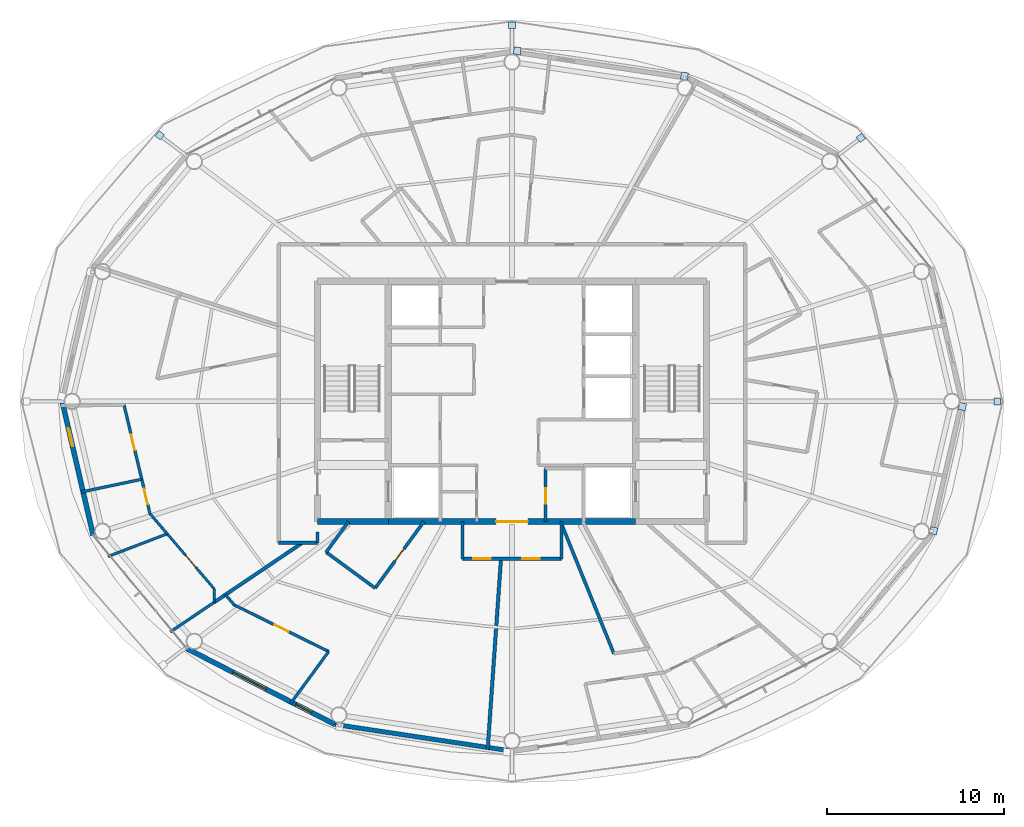
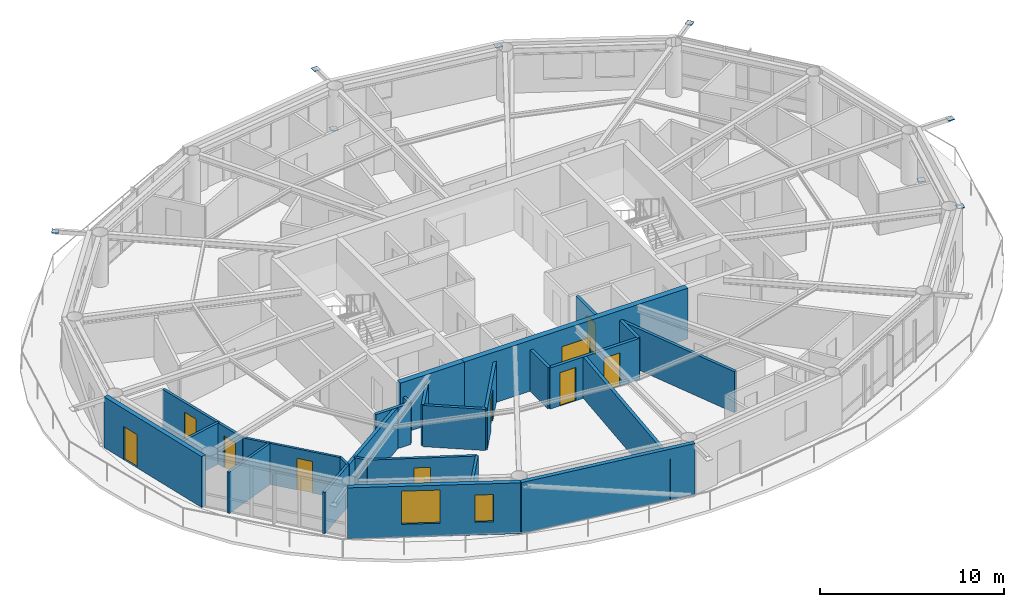
# One storey, part 15 of 22: 27 walls, 10 doors, 8 plates, 2 windows, 12 openings.
"""IFC4 building model written with IfcOpenShell, lengths in metres."""

from ifc_helpers import new_model, si_unit, direction, frame, frame_2d, origin, origin_2d, place, context, subcontext, project, spatial, rectangle, extrude, material, layer, layer_set, type_object, element, fill, save


model = new_model("IFC4")

# Units and contexts
model_context = context("Model", 3, precision=1e-05, world=origin(), true_north=direction((0.0, 1.0)))
body_context = subcontext(model_context, "Body", "Model", "MODEL_VIEW")
ifc_project = project(units=[si_unit("LENGTHUNIT", "METRE"), si_unit("AREAUNIT", "SQUARE_METRE"), si_unit("VOLUMEUNIT", "CUBIC_METRE"), si_unit("PLANEANGLEUNIT", "RADIAN"), si_unit("MASSUNIT", "GRAM", prefix="KILO")], contexts=[model_context])

# Site, building, storey
site_placement = place(None, origin())
site = spatial("IfcSite", under=ifc_project, at=site_placement, CompositionType="ELEMENT")
building_placement = place(site_placement, origin())
building = spatial("IfcBuilding", under=site, at=building_placement, Name="Sarneth Arch Tower", CompositionType="ELEMENT")
storey_placement = place(building_placement, frame((0.0, 0.0, 298.199951171875)))
storey = spatial("IfcBuildingStorey", under=building, at=storey_placement, Name="L77", CompositionType="ELEMENT", Elevation=298.199951171875)

# Plates
ifc_material_1 = material(Name="Steel S355", Category="steel")
ifc_layer_1 = layer(ifc_material_1, 0.035888671875)
ifc_layer_set_1 = layer_set([ifc_layer_1], Name="Steel S355")
plate_type = type_object("IfcPlateType", Name="PLT-GUSSET-30", PredefinedType="SHEET", material=ifc_layer_set_1)
for number, where, z_axis, x_axis, name in (
    (1, (75.455322265625, 42.0, 3.19189453125), (0.0, 0.0, 1.0), (1.0, 0.0, 0.0), "Steel end cap plate GP-1"),
    (2, (67.734375, 56.905029296875, 3.19189453125), (0.0, 0.0, 1.0), (0.798004853043, 0.602651022168, 0.0), "Steel end cap plate GP-1"),
):
    element("IfcPlate", number, at=place(storey_placement, frame(where, z_axis=z_axis, x_axis=x_axis)), inside=storey, type_object=plate_type, Name=name, PredefinedType="SHEET", context=body_context, shape_type="SweptSolid", body=[
        extrude(rectangle(XDim=0.3798828125, YDim=0.3798828125, at=origin_2d()), origin(), (0.0, 0.0, 1.0), 0.035888671875),
    ])
for number, where, z_axis, x_axis, name in (
    (3, (48.296630859375, 61.83544921875, 0.001953125), (0.0, 0.0, 1.0), (-0.988860535448, 0.148845024885, 0.0), "Steel end cap plate GP-1"),
    (4, (57.754150390625, 60.411376953125, 3.07421875), (0.0, 0.0, 1.0), (-0.988860535448, 0.148845024885, 0.0), "Steel end cap plate GP-1"),
):
    element("IfcPlate", number, at=place(storey_placement, frame(where, z_axis=z_axis, x_axis=x_axis)), inside=storey, type_object=plate_type, Name=name, PredefinedType="SHEET", context=body_context, shape_type="SweptSolid", body=[
        extrude(rectangle(XDim=0.404052734375, YDim=0.404052734375, at=origin_2d()), origin(), (0.0, 0.0, 1.0), 0.035888671875),
    ])
for number, where, z_axis, x_axis, name in (
    (5, (48.0, 63.27783203125, 3.19189453125), (0.0, 0.0, 1.0), (0.0, 1.0, 0.0), "Steel end cap plate GP-1"),
    (6, (28.0732421875, 57.05029296875, 3.19189453125), (0.0, 0.0, 1.0), (-0.798004853043, 0.602651022168, 0.0), "Steel end cap plate GP-1"),
):
    element("IfcPlate", number, at=place(storey_placement, frame(where, z_axis=z_axis, x_axis=x_axis)), inside=storey, type_object=plate_type, Name=name, PredefinedType="SHEET", context=body_context, shape_type="SweptSolid", body=[
        extrude(rectangle(XDim=0.3798828125, YDim=0.3798828125, at=origin_2d()), origin(), (0.0, 0.0, 1.0), 0.035888671875),
    ])
for number, where, z_axis, x_axis, name in (
    (7, (73.4765625, 41.707763671875, 0.001953125), (0.0, 0.0, 1.0), (0.225461202458, 0.974252147129, 0.0), "Steel end cap plate GP-1"),
    (8, (71.851806640625, 34.6845703125, 3.07421875), (0.0, 0.0, 1.0), (0.225461202458, 0.974252147129, 0.0), "Steel end cap plate GP-1"),
):
    element("IfcPlate", number, at=place(storey_placement, frame(where, z_axis=z_axis, x_axis=x_axis)), inside=storey, type_object=plate_type, Name=name, PredefinedType="SHEET", context=body_context, shape_type="SweptSolid", body=[
        extrude(rectangle(XDim=0.404052734375, YDim=0.404052734375, at=origin_2d()), origin(), (0.0, 0.0, 1.0), 0.035888671875),
    ])

# Wall
ifc_material_2 = material(Name="Concrete C50/60", Category="concrete")
ifc_layer_2 = layer(ifc_material_2, 0.35009765625)
ifc_layer_set_2 = layer_set([ifc_layer_2], Name="Concrete C50/60")
wall_type_1 = type_object("IfcWallType", Name="WALL-CORE-350", PredefinedType="SHEAR", material=ifc_layer_set_2)
wall_1_placement = place(storey_placement, frame((37.0, 35.199951171875, 0.0), z_axis=(0.0, 0.0, 1.0), x_axis=(1.0, 0.0, 0.0)))
element("IfcWall", 9, at=wall_1_placement, inside=storey, type_object=wall_type_1, Name="L77 Core shear wall S-W", PredefinedType="SHEAR", context=body_context, shape_type="SweptSolid", body=[
    extrude(rectangle(XDim=4.0, YDim=0.35009765625, at=frame_2d((2.0, 0.0))), origin(), (0.0, 0.0, 1.0), 3.3701171875),
])

# Wall, opening, door
wall_2_placement = place(storey_placement, frame((41.0, 35.199951171875, 0.0), z_axis=(0.0, 0.0, 1.0), x_axis=(1.0, 0.0, 0.0)))
wall_2 = element("IfcWall", 10, at=wall_2_placement, inside=storey, type_object=wall_type_1, Name="L77 Core shear wall S-M", PredefinedType="SHEAR", context=body_context, shape_type="SweptSolid", body=[
    extrude(rectangle(XDim=14.0, YDim=0.35009765625, at=frame_2d((7.0, 0.0))), origin(), (0.0, 0.0, 1.0), 3.3701171875),
])
opening_1_placement = place(wall_2_placement, frame((6.10009765625, 0.0, 0.0)))
opening_1 = element("IfcOpeningElement", 11, at=opening_1_placement, cuts=wall_2, Name="Opening FD-01", PredefinedType="OPENING", context=body_context, shape_type="SweptSolid", body=[
    extrude(rectangle(XDim=1.800048828125, YDim=2.25, at=frame_2d((0.89990234375, 1.125))), frame((0.0, 0.18505859375, 0.0), z_axis=(0.0, -1.0, 0.0), x_axis=(1.0, 0.0, 0.0)), (0.0, 0.0, 1.0), 0.3701171875),
])
ifc_material_3 = material(Name="Galvanised Steel S275 fire door set", Category="steel")
door_type_1 = type_object("IfcDoorType", Name="DR-FD90-1800", OperationType="DOUBLE_DOOR_SINGLE_SWING", PredefinedType="DOOR", material=ifc_material_3)
door_1_placement = place(opening_1_placement, origin())
door_1 = element("IfcDoor", 12, at=door_1_placement, inside=storey, type_object=door_type_1, Name="L77 Central lift lobby south door", OperationType="DOUBLE_DOOR_SINGLE_SWING", OverallHeight=2.25, OverallWidth=1.800048828125, PredefinedType="DOOR", context=body_context, shape_type="SweptSolid", body=[
    extrude(rectangle(XDim=1.800048828125, YDim=2.25, at=frame_2d((0.89990234375, 1.125))), frame((0.0, 0.02490234375, 0.0), z_axis=(0.0, -1.0, 0.0), x_axis=(1.0, 0.0, 0.0)), (0.0, 0.0, 1.0), 0.050048828125),
])
fill(opening_1, door_1)

# Wall, openings, doors
ifc_material_4 = material(Name="Double steel-stud corridor fire wall", Category="steel")
ifc_layer_3 = layer(ifc_material_4, 0.18994140625)
ifc_layer_set_3 = layer_set([ifc_layer_3], Name="Double steel-stud corridor fire wall")
wall_type_2 = type_object("IfcWallType", Name="WALL-CORR-190", PredefinedType="PARTITIONING", material=ifc_layer_set_3)
wall_3_placement = place(storey_placement, frame((50.800048828125, 33.10009765625, 0.0), z_axis=(0.0, 0.0, 1.0), x_axis=(-1.0, 0.0, 0.0)))
wall_3 = element("IfcWall", 13, at=wall_3_placement, inside=storey, type_object=wall_type_2, Name="L77 Interior partition W-L77-TP-025", PredefinedType="PARTITIONING", context=body_context, shape_type="SweptSolid", body=[
    extrude(rectangle(XDim=5.60009765625, YDim=0.18994140625, at=frame_2d((2.800048828125, 0.0))), origin(), (0.0, 0.0, 1.0), 2.72998046875),
])
opening_2_placement = place(wall_3_placement, frame((1.227294921875, 0.0, 0.0)))
opening_2 = element("IfcOpeningElement", 14, at=opening_2_placement, cuts=wall_3, Name="Opening FD-08", PredefinedType="OPENING", context=body_context, shape_type="SweptSolid", body=[
    extrude(rectangle(XDim=1.0, YDim=2.199951171875, at=frame_2d((0.5, 1.10009765625))), frame((0.0, 0.10498046875, 0.0), z_axis=(0.0, -1.0, 0.0), x_axis=(1.0, 0.0, 0.0)), (0.0, 0.0, 1.0), 0.2099609375),
])
opening_3_placement = place(wall_3_placement, frame((3.9951171875, 0.0, 0.0)))
opening_3 = element("IfcOpeningElement", 15, at=opening_3_placement, cuts=wall_3, Name="Opening FD-08", PredefinedType="OPENING", context=body_context, shape_type="SweptSolid", body=[
    extrude(rectangle(XDim=1.0, YDim=2.199951171875, at=frame_2d((0.5, 1.10009765625))), frame((0.0, 0.10498046875, 0.0), z_axis=(0.0, -1.0, 0.0), x_axis=(1.0, 0.0, 0.0)), (0.0, 0.0, 1.0), 0.2099609375),
])
ifc_material_5 = material(Name="Hardwood timber acoustic fire door", Category="wood")
door_type_2 = type_object("IfcDoorType", Name="DR-FD60-1000", OperationType="SINGLE_SWING_LEFT", PredefinedType="DOOR", material=ifc_material_5)
door_2_placement = place(opening_2_placement, origin())
door_2 = element("IfcDoor", 16, at=door_2_placement, inside=storey, type_object=door_type_2, Name="L77 Interior door DR-L77-U6-ENT", OperationType="SINGLE_SWING_RIGHT", OverallHeight=2.199951171875, OverallWidth=1.0, PredefinedType="DOOR", context=body_context, shape_type="SweptSolid", body=[
    extrude(rectangle(XDim=1.0, YDim=2.199951171875, at=frame_2d((0.5, 1.10009765625))), frame((0.0, 0.02490234375, 0.0), z_axis=(0.0, -1.0, 0.0), x_axis=(1.0, 0.0, 0.0)), (0.0, 0.0, 1.0), 0.050048828125),
])
fill(opening_2, door_2)
door_3_placement = place(opening_3_placement, origin())
door_3 = element("IfcDoor", 17, at=door_3_placement, inside=storey, type_object=door_type_2, Name="L77 Interior door DR-L77-U5-ENT", OperationType="SINGLE_SWING_RIGHT", OverallHeight=2.199951171875, OverallWidth=1.0, PredefinedType="DOOR", context=body_context, shape_type="SweptSolid", body=[
    extrude(rectangle(XDim=1.0, YDim=2.199951171875, at=frame_2d((0.5, 1.10009765625))), frame((0.0, 0.02490234375, 0.0), z_axis=(0.0, -1.0, 0.0), x_axis=(1.0, 0.0, 0.0)), (0.0, 0.0, 1.0), 0.050048828125),
])
fill(opening_3, door_3)

# Walls
for number, where, z_axis, x_axis, name in (
    (18, (45.199951171875, 33.10009765625, 0.0), (0.0, 0.0, 1.0), (0.0, 1.0, 0.0), "L77 Interior partition W-L77-TP-023"),
    (19, (50.800048828125, 35.199951171875, 0.0), (0.0, 0.0, 1.0), (0.0, -1.0, 0.0), "L77 Interior partition W-L77-TP-024"),
):
    element("IfcWall", number, at=place(storey_placement, frame(where, z_axis=z_axis, x_axis=x_axis)), inside=storey, type_object=wall_type_2, Name=name, PredefinedType="PARTITIONING", context=body_context, shape_type="SweptSolid", body=[
        extrude(rectangle(XDim=2.099853515625, YDim=0.18994140625, at=frame_2d((1.0498046875, 0.0))), origin(), (0.0, 0.0, 1.0), 2.72998046875),
    ])
wall_4_placement = place(storey_placement, frame((37.0, 34.0, 0.0), z_axis=(0.0, 0.0, 1.0), x_axis=(-1.0, 0.0, 0.0)))
element("IfcWall", 20, at=wall_4_placement, inside=storey, type_object=wall_type_2, Name="L77 Interior partition W-L77-TP-012", PredefinedType="PARTITIONING", context=body_context, shape_type="SweptSolid", body=[
    extrude(rectangle(XDim=2.199951171875, YDim=0.18994140625, at=frame_2d((1.10009765625, 0.0))), origin(), (0.0, 0.0, 1.0), 2.72998046875),
])
wall_5_placement = place(storey_placement, frame((37.0, 34.618896484375, 0.0), z_axis=(0.0, 0.0, 1.0), x_axis=(0.0, -1.0, 0.0)))
element("IfcWall", 21, at=wall_5_placement, inside=storey, type_object=wall_type_2, Name="L77 Interior partition W-L77-TP-015", PredefinedType="PARTITIONING", context=body_context, shape_type="SweptSolid", body=[
    extrude(rectangle(XDim=0.618896484375, YDim=0.18994140625, at=frame_2d((0.3095703125, 0.0))), origin(), (0.0, 0.0, 1.0), 2.72998046875),
])
ifc_material_6 = material(Name="Extruded terracotta rainscreen on Concrete C40/50 backing", Category="masonry")
ifc_layer_4 = layer(ifc_material_6, 0.25)
ifc_layer_set_4 = layer_set([ifc_layer_4], Name="Extruded terracotta rainscreen on Concrete C40/50 backing")
wall_type_3 = type_object("IfcWallType", Name="WALL-EXT-SPAND-250", PredefinedType="SOLIDWALL", material=ifc_layer_set_4)
wall_6_placement = place(storey_placement, frame((37.9873046875, 23.7255859375, 0.0), z_axis=(0.0, 0.0, 1.0), x_axis=(0.988882522213, -0.148698881169, 0.0)))
element("IfcWall", 22, at=wall_6_placement, inside=storey, type_object=wall_type_3, Name="L77 Terracotta perimeter wall 12", PredefinedType="SOLIDWALL", context=body_context, shape_type="SweptSolid", body=[
    extrude(rectangle(XDim=10.125244140625, YDim=0.25, at=frame_2d((5.0625, 0.0))), origin(), (0.0, 0.0, 1.0), 3.3701171875),
])

# Wall, opening, door
ifc_material_7 = material(Name="Extruded terracotta rainscreen on Concrete C40/50 backing", Category="masonry")
ifc_layer_5 = layer(ifc_material_7, 0.280029296875)
ifc_layer_set_5 = layer_set([ifc_layer_5], Name="Extruded terracotta rainscreen on Concrete C40/50 backing")
wall_type_4 = type_object("IfcWallType", Name="WALL-EXT-TERRA-280", PredefinedType="SOLIDWALL", material=ifc_layer_set_5)
wall_7_placement = place(storey_placement, frame((22.552978515625, 42.0, 0.0), z_axis=(0.0, 0.0, 1.0), x_axis=(0.225635078214, -0.974211892495, 0.0)))
wall_7 = element("IfcWall", 23, at=wall_7_placement, inside=storey, type_object=wall_type_4, Name="L77 Terracotta perimeter wall 09", PredefinedType="SOLIDWALL", context=body_context, shape_type="SweptSolid", body=[
    extrude(rectangle(XDim=7.77001953125, YDim=0.280029296875, at=frame_2d((3.885009765625, 0.0))), origin(), (0.0, 0.0, 1.0), 3.3701171875),
])
opening_4_placement = place(wall_7_placement, frame((1.55712890625, 0.0, 0.0)))
opening_4 = element("IfcOpeningElement", 24, at=opening_4_placement, cuts=wall_7, Name="Opening BD-4", PredefinedType="OPENING", context=body_context, shape_type="SweptSolid", body=[
    extrude(rectangle(XDim=1.050048828125, YDim=2.199951171875, at=frame_2d((0.52490234375, 1.10009765625))), frame((0.0, 0.14990234375, 0.0), z_axis=(0.0, -1.0, 0.0), x_axis=(1.0, 0.0, 0.0)), (0.0, 0.0, 1.0), 0.300048828125),
])
ifc_material_8 = material(Name="Thermally broken Aluminium 6063-T6 and laminated safety glass", Category="aluminium")
door_type_3 = type_object("IfcDoorType", Name="DR-BALC-GLZ-1050", OperationType="SINGLE_SWING_RIGHT", PredefinedType="DOOR", material=ifc_material_8)
door_4_placement = place(opening_4_placement, origin())
door_4 = element("IfcDoor", 25, at=door_4_placement, inside=storey, type_object=door_type_3, Name="L77 Balcony glazed door 09", OperationType="SINGLE_SWING_RIGHT", OverallHeight=2.199951171875, OverallWidth=1.050048828125, PredefinedType="DOOR", context=body_context, shape_type="SweptSolid", body=[
    extrude(rectangle(XDim=1.050048828125, YDim=2.199951171875, at=frame_2d((0.52490234375, 1.10009765625))), frame((0.0, 0.02490234375, 0.0), z_axis=(0.0, -1.0, 0.0), x_axis=(1.0, 0.0, 0.0)), (0.0, 0.0, 1.0), 0.050048828125),
])
fill(opening_4, door_4)

# Wall, openings, windows
wall_8_placement = place(storey_placement, frame((29.617431640625, 28.013427734375, 0.0), z_axis=(0.0, 0.0, 1.0), x_axis=(0.890007394051, -0.455946091699, 0.0)))
wall_8 = element("IfcWall", 26, at=wall_8_placement, inside=storey, type_object=wall_type_4, Name="L77 Terracotta perimeter wall 11", PredefinedType="SOLIDWALL", context=body_context, shape_type="SweptSolid", body=[
    extrude(rectangle(XDim=9.404296875, YDim=0.280029296875, at=frame_2d((4.7021484375, 0.0))), origin(), (0.0, 0.0, 1.0), 3.3701171875),
])
opening_5_placement = place(wall_8_placement, frame((2.92431640625, 0.0, 0.85009765625)))
opening_5 = element("IfcOpeningElement", 27, at=opening_5_placement, cuts=wall_8, Name="Opening W-03", PredefinedType="OPENING", context=body_context, shape_type="SweptSolid", body=[
    extrude(rectangle(XDim=2.10009765625, YDim=2.199951171875, at=frame_2d((1.050048828125, 1.10009765625))), frame((0.0, 0.14990234375, 0.0), z_axis=(0.0, -1.0, 0.0), x_axis=(1.0, 0.0, 0.0)), (0.0, 0.0, 1.0), 0.300048828125),
])
opening_6_placement = place(wall_8_placement, frame((6.9150390625, 0.0, 0.85009765625)))
opening_6 = element("IfcOpeningElement", 28, at=opening_6_placement, cuts=wall_8, Name="Opening W-11", PredefinedType="OPENING", context=body_context, shape_type="SweptSolid", body=[
    extrude(rectangle(XDim=1.0, YDim=1.800048828125, at=frame_2d((0.5, 0.89990234375))), frame((0.0, 0.14990234375, 0.0), z_axis=(0.0, -1.0, 0.0), x_axis=(1.0, 0.0, 0.0)), (0.0, 0.0, 1.0), 0.300048828125),
])
ifc_material_9 = material(Name="Thermally broken Aluminium 6063-T6 and low-e laminated IGU", Category="aluminium")
window_type_1 = type_object("IfcWindowType", Name="WIN-TWR-1000x1800", PartitioningType="SINGLE_PANEL", PredefinedType="WINDOW", material=ifc_material_9)
window_1_placement = place(opening_6_placement, origin())
window_1 = element("IfcWindow", 29, at=window_1_placement, inside=storey, type_object=window_type_1, Name="L77 Exterior window 11B", OverallHeight=1.800048828125, OverallWidth=1.0, PartitioningType="SINGLE_PANEL", PredefinedType="WINDOW", context=body_context, shape_type="SweptSolid", body=[
    extrude(rectangle(XDim=1.0, YDim=1.800048828125, at=frame_2d((0.5, 0.89990234375))), frame((0.0, 0.030029296875, 0.0), z_axis=(0.0, -1.0, 0.0), x_axis=(1.0, 0.0, 0.0)), (0.0, 0.0, 1.0), 0.06005859375),
])
fill(opening_6, window_1)
ifc_material_10 = material(Name="Thermally broken Aluminium 6063-T6 and low-e laminated IGU", Category="aluminium")
window_type_2 = type_object("IfcWindowType", Name="WIN-TWR-2100x2200", PartitioningType="DOUBLE_PANEL_VERTICAL", PredefinedType="WINDOW", material=ifc_material_10)
window_2_placement = place(opening_5_placement, origin())
window_2 = element("IfcWindow", 30, at=window_2_placement, inside=storey, type_object=window_type_2, Name="L77 Exterior window 11A", OverallHeight=2.199951171875, OverallWidth=2.10009765625, PartitioningType="SINGLE_PANEL", PredefinedType="WINDOW", context=body_context, shape_type="SweptSolid", body=[
    extrude(rectangle(XDim=2.10009765625, YDim=2.199951171875, at=frame_2d((1.050048828125, 1.10009765625))), frame((0.0, 0.030029296875, 0.0), z_axis=(0.0, -1.0, 0.0), x_axis=(1.0, 0.0, 0.0)), (0.0, 0.0, 1.0), 0.06005859375),
])
fill(opening_5, window_2)

# Wall, opening, door
ifc_material_11 = material(Name="Apartment internal stud partition", Category="gypsum")
ifc_layer_6 = layer(ifc_material_11, 0.139892578125)
ifc_layer_set_6 = layer_set([ifc_layer_6], Name="Apartment internal stud partition")
wall_type_5 = type_object("IfcWallType", Name="WALL-PART-140", PredefinedType="PARTITIONING", material=ifc_layer_set_6)
wall_9_placement = place(storey_placement, frame((28.494384765625, 34.512451171875, 0.0), z_axis=(0.0, 0.0, 1.0), x_axis=(0.649192484668, -0.760624163336, 0.0)))
wall_9 = element("IfcWall", 31, at=wall_9_placement, inside=storey, type_object=wall_type_5, Name="L77 Interior partition W-L77-TP-063", PredefinedType="PARTITIONING", context=body_context, shape_type="SweptSolid", body=[
    extrude(rectangle(XDim=4.090576171875, YDim=0.139892578125, at=frame_2d((2.04541015625, 0.0))), origin(), (0.0, 0.0, 1.0), 2.72998046875),
])
opening_7_placement = place(wall_9_placement, frame((1.59521484375, 0.0, 0.0)))
opening_7 = element("IfcOpeningElement", 32, at=opening_7_placement, cuts=wall_9, Name="Opening ID-01", PredefinedType="OPENING", context=body_context, shape_type="SweptSolid", body=[
    extrude(rectangle(XDim=0.89990234375, YDim=2.10009765625, at=frame_2d((0.449951171875, 1.050048828125))), frame((0.0, 0.079833984375, 0.0), z_axis=(0.0, -1.0, 0.0), x_axis=(1.0, 0.0, 0.0)), (0.0, 0.0, 1.0), 0.159912109375),
])
ifc_material_12 = material(Name="Engineered hardwood flush door", Category="wood")
door_type_4 = type_object("IfcDoorType", Name="DR-INT-900", OperationType="SINGLE_SWING_LEFT", PredefinedType="DOOR", material=ifc_material_12)
door_5_placement = place(opening_7_placement, origin())
door_5 = element("IfcDoor", 33, at=door_5_placement, inside=storey, type_object=door_type_4, Name="L77 Interior door DR-L77-U4-BED2", OperationType="SINGLE_SWING_LEFT", OverallHeight=2.10009765625, OverallWidth=0.89990234375, PredefinedType="DOOR", context=body_context, shape_type="SweptSolid", body=[
    extrude(rectangle(XDim=0.89990234375, YDim=2.10009765625, at=frame_2d((0.449951171875, 1.050048828125))), frame((0.0, 0.02490234375, 0.0), z_axis=(0.0, -1.0, 0.0), x_axis=(1.0, 0.0, 0.0)), (0.0, 0.0, 1.0), 0.050048828125),
])
fill(opening_7, door_5)

# Walls
wall_10_placement = place(storey_placement, frame((31.14990234375, 31.401123046875, 0.0), z_axis=(0.0, 0.0, 1.0), x_axis=(0.0, -1.0, 0.0)))
element("IfcWall", 34, at=wall_10_placement, inside=storey, type_object=wall_type_5, Name="L77 Interior partition W-L77-TP-064", PredefinedType="PARTITIONING", context=body_context, shape_type="SweptSolid", body=[
    extrude(rectangle(XDim=0.7666015625, YDim=0.139892578125, at=frame_2d((0.38330078125, 0.0))), origin(), (0.0, 0.0, 1.0), 2.72998046875),
])
ifc_material_13 = material(Name="Acoustic gypsum stud partition", Category="gypsum")
ifc_layer_7 = layer(ifc_material_13, 0.14990234375)
ifc_layer_set_7 = layer_set([ifc_layer_7], Name="Acoustic gypsum stud partition")
wall_type_6 = type_object("IfcWallType", Name="WALL-PART-150", PredefinedType="PARTITIONING", material=ifc_layer_set_7)
wall_11_placement = place(storey_placement, frame((28.494384765625, 34.512451171875, 0.0), z_axis=(0.0, 0.0, 1.0), x_axis=(-0.933587977353, -0.358348278274, 0.0)))
element("IfcWall", 35, at=wall_11_placement, inside=storey, type_object=wall_type_6, Name="L77 Interior partition W-L77-TP-068", PredefinedType="PARTITIONING", context=body_context, shape_type="SweptSolid", body=[
    extrude(rectangle(XDim=3.57958984375, YDim=0.14990234375, at=frame_2d((1.789794921875, 0.0))), origin(), (0.0, 0.0, 1.0), 2.72998046875),
])
wall_12_placement = place(storey_placement, frame((27.51904296875, 35.655029296875, 0.0), z_axis=(0.0, 0.0, 1.0), x_axis=(0.649250915383, -0.760574288859, 0.0)))
element("IfcWall", 36, at=wall_12_placement, inside=storey, type_object=wall_type_6, Name="L77 Interior partition W-L77-TP-062", PredefinedType="PARTITIONING", context=body_context, shape_type="SweptSolid", body=[
    extrude(rectangle(XDim=1.502197265625, YDim=0.14990234375, at=frame_2d((0.7509765625, 0.0))), origin(), (0.0, 0.0, 1.0), 2.72998046875),
])

# Wall, opening, door
ifc_material_14 = material(Name="Kitchen wet service chase wall", Category="gypsum")
ifc_layer_8 = layer(ifc_material_14, 0.159912109375)
ifc_layer_set_8 = layer_set([ifc_layer_8], Name="Kitchen wet service chase wall")
wall_type_7 = type_object("IfcWallType", Name="WALL-PLUMB-160", PredefinedType="PLUMBINGWALL", material=ifc_layer_set_8)
wall_13_placement = place(storey_placement, frame((37.630126953125, 27.852294921875, 0.0), z_axis=(0.0, 0.0, 1.0), x_axis=(-0.896847493932, 0.442339883605, 0.0)))
wall_13 = element("IfcWall", 37, at=wall_13_placement, inside=storey, type_object=wall_type_7, Name="L77 Interior partition W-L77-TP-074", PredefinedType="PLUMBINGWALL", context=body_context, shape_type="SweptSolid", body=[
    extrude(rectangle(XDim=5.959228515625, YDim=0.159912109375, at=frame_2d((2.9794921875, 0.0))), origin(), (0.0, 0.0, 1.0), 2.72998046875),
])
opening_8_placement = place(wall_13_placement, frame((2.529541015625, 0.0, 0.0)))
opening_8 = element("IfcOpeningElement", 38, at=opening_8_placement, cuts=wall_13, Name="Opening ID-01", PredefinedType="OPENING", context=body_context, shape_type="SweptSolid", body=[
    extrude(rectangle(XDim=0.89990234375, YDim=2.10009765625, at=frame_2d((0.449951171875, 1.050048828125))), frame((0.0, 0.08984375, 0.0), z_axis=(0.0, -1.0, 0.0), x_axis=(1.0, 0.0, 0.0)), (0.0, 0.0, 1.0), 0.179931640625),
])
door_6_placement = place(opening_8_placement, origin())
door_6 = element("IfcDoor", 39, at=door_6_placement, inside=storey, type_object=door_type_4, Name="L77 Interior door DR-L77-U5-KIT", OperationType="SINGLE_SWING_LEFT", OverallHeight=2.10009765625, OverallWidth=0.89990234375, PredefinedType="DOOR", context=body_context, shape_type="SweptSolid", body=[
    extrude(rectangle(XDim=0.89990234375, YDim=2.10009765625, at=frame_2d((0.449951171875, 1.050048828125))), frame((0.0, 0.02490234375, 0.0), z_axis=(0.0, -1.0, 0.0), x_axis=(1.0, 0.0, 0.0)), (0.0, 0.0, 1.0), 0.050048828125),
])
fill(opening_8, door_6)

# Wall, openings, doors
wall_14_placement = place(storey_placement, frame((27.51904296875, 35.655029296875, 0.0), z_axis=(0.0, 0.0, 1.0), x_axis=(-0.232313993087, 0.97264084256, 0.0)))
wall_14 = element("IfcWall", 40, at=wall_14_placement, inside=storey, type_object=wall_type_7, Name="L77 Interior partition W-L77-TP-056", PredefinedType="PLUMBINGWALL", context=body_context, shape_type="SweptSolid", body=[
    extrude(rectangle(XDim=6.31396484375, YDim=0.159912109375, at=frame_2d((3.156982421875, 0.0))), origin(), (0.0, 0.0, 1.0), 2.72998046875),
])
opening_9_placement = place(wall_14_placement, frame((3.689208984375, 0.0, 0.0)))
opening_9 = element("IfcOpeningElement", 41, at=opening_9_placement, cuts=wall_14, Name="Opening ID-01", PredefinedType="OPENING", context=body_context, shape_type="SweptSolid", body=[
    extrude(rectangle(XDim=0.89990234375, YDim=2.10009765625, at=frame_2d((0.449951171875, 1.050048828125))), frame((0.0, 0.08984375, 0.0), z_axis=(0.0, -1.0, 0.0), x_axis=(1.0, 0.0, 0.0)), (0.0, 0.0, 1.0), 0.179931640625),
])
opening_10_placement = place(wall_14_placement, frame((0.548095703125, 0.0, 0.0)))
opening_10 = element("IfcOpeningElement", 42, at=opening_10_placement, cuts=wall_14, Name="Opening ID-01", PredefinedType="OPENING", context=body_context, shape_type="SweptSolid", body=[
    extrude(rectangle(XDim=0.89990234375, YDim=2.10009765625, at=frame_2d((0.449951171875, 1.050048828125))), frame((0.0, 0.08984375, 0.0), z_axis=(0.0, -1.0, 0.0), x_axis=(1.0, 0.0, 0.0)), (0.0, 0.0, 1.0), 0.179931640625),
])
door_7_placement = place(opening_9_placement, origin())
door_7 = element("IfcDoor", 43, at=door_7_placement, inside=storey, type_object=door_type_4, Name="L77 Interior door DR-L77-U4-KIT", OperationType="SINGLE_SWING_RIGHT", OverallHeight=2.10009765625, OverallWidth=0.89990234375, PredefinedType="DOOR", context=body_context, shape_type="SweptSolid", body=[
    extrude(rectangle(XDim=0.89990234375, YDim=2.10009765625, at=frame_2d((0.449951171875, 1.050048828125))), frame((0.0, 0.02490234375, 0.0), z_axis=(0.0, -1.0, 0.0), x_axis=(1.0, 0.0, 0.0)), (0.0, 0.0, 1.0), 0.050048828125),
])
fill(opening_9, door_7)
door_8_placement = place(opening_10_placement, origin())
door_8 = element("IfcDoor", 44, at=door_8_placement, inside=storey, type_object=door_type_4, Name="L77 Interior door DR-L77-U4-BED1", OperationType="SINGLE_SWING_LEFT", OverallHeight=2.10009765625, OverallWidth=0.89990234375, PredefinedType="DOOR", context=body_context, shape_type="SweptSolid", body=[
    extrude(rectangle(XDim=0.89990234375, YDim=2.10009765625, at=frame_2d((0.449951171875, 1.050048828125))), frame((0.0, 0.02490234375, 0.0), z_axis=(0.0, -1.0, 0.0), x_axis=(1.0, 0.0, 0.0)), (0.0, 0.0, 1.0), 0.050048828125),
])
fill(opening_10, door_8)

# Walls
wall_15_placement = place(storey_placement, frame((35.4580078125, 24.888427734375, 0.0), z_axis=(0.0, 0.0, 1.0), x_axis=(0.591118806012, 0.806584500954, 0.0)))
element("IfcWall", 45, at=wall_15_placement, inside=storey, type_object=wall_type_7, Name="L77 Interior partition W-L77-TP-073", PredefinedType="PLUMBINGWALL", context=body_context, shape_type="SweptSolid", body=[
    extrude(rectangle(XDim=3.674560546875, YDim=0.159912109375, at=frame_2d((1.83740234375, 0.0))), origin(), (0.0, 0.0, 1.0), 2.72998046875),
])
wall_16_placement = place(storey_placement, frame((27.055419921875, 37.5966796875, 0.0), z_axis=(0.0, 0.0, 1.0), x_axis=(-0.978617562331, -0.205688275545, 0.0)))
element("IfcWall", 46, at=wall_16_placement, inside=storey, type_object=wall_type_7, Name="L77 Interior partition W-L77-TP-067", PredefinedType="PLUMBINGWALL", context=body_context, shape_type="SweptSolid", body=[
    extrude(rectangle(XDim=3.513427734375, YDim=0.159912109375, at=frame_2d((1.7568359375, 0.0))), origin(), (0.0, 0.0, 1.0), 2.72998046875),
])
wall_17_placement = place(storey_placement, frame((31.14990234375, 30.634521484375, 0.0), z_axis=(0.0, 0.0, 1.0), x_axis=(-0.82904391661, -0.559183497907, 0.0)))
element("IfcWall", 47, at=wall_17_placement, inside=storey, type_object=wall_type_7, Name="L77 Interior partition W-L77-TP-069", PredefinedType="PLUMBINGWALL", context=body_context, shape_type="SweptSolid", body=[
    extrude(rectangle(XDim=2.985595703125, YDim=0.159912109375, at=frame_2d((1.49267578125, 0.0))), origin(), (0.0, 0.0, 1.0), 2.72998046875),
])
wall_18_placement = place(storey_placement, frame((32.28564453125, 30.48828125, 0.0), z_axis=(0.0, 0.0, 1.0), x_axis=(-0.651714881855, 0.758464048435, 0.0)))
element("IfcWall", 48, at=wall_18_placement, inside=storey, type_object=wall_type_7, Name="L77 Interior partition W-L77-TP-075", PredefinedType="PLUMBINGWALL", context=body_context, shape_type="SweptSolid", body=[
    extrude(rectangle(XDim=0.761474609375, YDim=0.159912109375, at=frame_2d((0.380859375, 0.0))), origin(), (0.0, 0.0, 1.0), 2.72998046875),
])

# Wall, opening, door
ifc_material_15 = material(Name="Moisture-resistant plumbing chase wall", Category="gypsum")
ifc_layer_9 = layer(ifc_material_15, 0.179931640625)
ifc_layer_set_9 = layer_set([ifc_layer_9], Name="Moisture-resistant plumbing chase wall")
wall_type_8 = type_object("IfcWallType", Name="WALL-PLUMB-180", PredefinedType="PLUMBINGWALL", material=ifc_layer_set_9)
wall_19_placement = place(storey_placement, frame((49.89990234375, 35.199951171875, 0.0), z_axis=(0.0, 0.0, 1.0), x_axis=(0.0, 1.0, 0.0)))
wall_19 = element("IfcWall", 49, at=wall_19_placement, inside=storey, type_object=wall_type_8, Name="L77 Interior partition W-L77-AWC-W", PredefinedType="PLUMBINGWALL", context=body_context, shape_type="SweptSolid", body=[
    extrude(rectangle(XDim=3.0, YDim=0.179931640625, at=frame_2d((1.5, 0.0))), origin(), (0.0, 0.0, 1.0), 2.72998046875),
])
opening_11_placement = place(wall_19_placement, frame((1.0, 0.0, 0.0)))
opening_11 = element("IfcOpeningElement", 50, at=opening_11_placement, cuts=wall_19, Name="Opening ID-01", PredefinedType="OPENING", context=body_context, shape_type="SweptSolid", body=[
    extrude(rectangle(XDim=0.89990234375, YDim=2.10009765625, at=frame_2d((0.449951171875, 1.050048828125))), frame((0.0, 0.099853515625, 0.0), z_axis=(0.0, -1.0, 0.0), x_axis=(1.0, 0.0, 0.0)), (0.0, 0.0, 1.0), 0.199951171875),
])
door_9_placement = place(opening_11_placement, origin())
door_9 = element("IfcDoor", 51, at=door_9_placement, inside=storey, type_object=door_type_4, Name="L77 Interior door DR-L77-AWC", OperationType="SINGLE_SWING_RIGHT", OverallHeight=2.10009765625, OverallWidth=0.89990234375, PredefinedType="DOOR", context=body_context, shape_type="SweptSolid", body=[
    extrude(rectangle(XDim=0.89990234375, YDim=2.10009765625, at=frame_2d((0.449951171875, 1.050048828125))), frame((0.0, 0.02490234375, 0.0), z_axis=(0.0, -1.0, 0.0), x_axis=(1.0, 0.0, 0.0)), (0.0, 0.0, 1.0), 0.050048828125),
])
fill(opening_11, door_9)

# Wall
wall_20_placement = place(storey_placement, frame((50.800048828125, 35.069580078125, 0.0), z_axis=(0.0, 0.0, 1.0), x_axis=(0.374600990238, -0.927186118378, 0.0)))
element("IfcWall", 52, at=wall_20_placement, inside=storey, type_object=wall_type_8, Name="L77 Interior partition W-L77-TP-079", PredefinedType="PLUMBINGWALL", context=body_context, shape_type="SweptSolid", body=[
    extrude(rectangle(XDim=7.90087890625, YDim=0.179931640625, at=frame_2d((3.950439453125, 0.0))), origin(), (0.0, 0.0, 1.0), 2.72998046875),
])

# Wall, opening, door
wall_21_placement = place(storey_placement, frame((40.259033203125, 31.438720703125, 0.0), z_axis=(0.0, 0.0, 1.0), x_axis=(0.591168457908, 0.806548110391, 0.0)))
wall_21 = element("IfcWall", 53, at=wall_21_placement, inside=storey, type_object=wall_type_8, Name="L77 Interior partition W-L77-TP-072", PredefinedType="PLUMBINGWALL", context=body_context, shape_type="SweptSolid", body=[
    extrude(rectangle(XDim=4.663330078125, YDim=0.179931640625, at=frame_2d((2.33154296875, 0.0))), origin(), (0.0, 0.0, 1.0), 2.72998046875),
])
opening_12_placement = place(wall_21_placement, frame((1.90673828125, 0.0, 0.0)))
opening_12 = element("IfcOpeningElement", 54, at=opening_12_placement, cuts=wall_21, Name="Opening ID-02", PredefinedType="OPENING", context=body_context, shape_type="SweptSolid", body=[
    extrude(rectangle(XDim=0.85009765625, YDim=2.10009765625, at=frame_2d((0.425048828125, 1.050048828125))), frame((0.0, 0.099853515625, 0.0), z_axis=(0.0, -1.0, 0.0), x_axis=(1.0, 0.0, 0.0)), (0.0, 0.0, 1.0), 0.199951171875),
])
ifc_material_16 = material(Name="Moisture-resistant bathroom timber door", Category="wood")
door_type_5 = type_object("IfcDoorType", Name="DR-INT-850", OperationType="SINGLE_SWING_RIGHT", PredefinedType="DOOR", material=ifc_material_16)
door_10_placement = place(opening_12_placement, origin())
door_10 = element("IfcDoor", 55, at=door_10_placement, inside=storey, type_object=door_type_5, Name="L77 Interior door DR-L77-U5-BATH", OperationType="SINGLE_SWING_RIGHT", OverallHeight=2.10009765625, OverallWidth=0.85009765625, PredefinedType="DOOR", context=body_context, shape_type="SweptSolid", body=[
    extrude(rectangle(XDim=0.85009765625, YDim=2.10009765625, at=frame_2d((0.425048828125, 1.050048828125))), frame((0.0, 0.02490234375, 0.0), z_axis=(0.0, -1.0, 0.0), x_axis=(1.0, 0.0, 0.0)), (0.0, 0.0, 1.0), 0.050048828125),
])
fill(opening_12, door_10)

# Walls
wall_22_placement = place(storey_placement, frame((37.486328125, 33.470947265625, 0.0), z_axis=(0.0, 0.0, 1.0), x_axis=(0.80655624282, -0.59115736244, 0.0)))
element("IfcWall", 56, at=wall_22_placement, inside=storey, type_object=wall_type_8, Name="L77 Interior partition W-L77-TP-071", PredefinedType="PLUMBINGWALL", context=body_context, shape_type="SweptSolid", body=[
    extrude(rectangle(XDim=3.437744140625, YDim=0.179931640625, at=frame_2d((1.71875, 0.0))), origin(), (0.0, 0.0, 1.0), 2.72998046875),
])
wall_23_placement = place(storey_placement, frame((38.75390625, 35.199951171875, 0.0), z_axis=(0.0, 0.0, 1.0), x_axis=(-0.591255046212, -0.806484637379, 0.0)))
element("IfcWall", 57, at=wall_23_placement, inside=storey, type_object=wall_type_8, Name="L77 Interior partition W-L77-TP-070", PredefinedType="PLUMBINGWALL", context=body_context, shape_type="SweptSolid", body=[
    extrude(rectangle(XDim=2.143798828125, YDim=0.179931640625, at=frame_2d((1.07177734375, 0.0))), origin(), (0.0, 0.0, 1.0), 2.72998046875),
])
ifc_material_17 = material(Name="Double steel-stud acoustic drywall", Category="steel")
ifc_layer_10 = layer(ifc_material_17, 0.199951171875)
ifc_layer_set_10 = layer_set([ifc_layer_10], Name="Double steel-stud acoustic drywall")
wall_type_9 = type_object("IfcWallType", Name="WALL-UNIT-200", PredefinedType="PARTITIONING", material=ifc_layer_set_10)
wall_24_placement = place(storey_placement, frame((47.377685546875, 33.10009765625, 0.0), z_axis=(0.0, 0.0, 1.0), x_axis=(-0.069765360577, -0.997563428792, 0.0)))
element("IfcWall", 58, at=wall_24_placement, inside=storey, type_object=wall_type_9, Name="L77 Interior partition W-L77-TP-076", PredefinedType="PARTITIONING", context=body_context, shape_type="SweptSolid", body=[
    extrude(rectangle(XDim=10.8203125, YDim=0.199951171875, at=frame_2d((5.41015625, 0.0))), origin(), (0.0, 0.0, 1.0), 2.72998046875),
])
wall_25_placement = place(storey_placement, frame((31.14990234375, 30.634521484375, 0.0), z_axis=(0.0, 0.0, 1.0), x_axis=(0.829036266652, 0.559194839546, 0.0)))
element("IfcWall", 59, at=wall_25_placement, inside=storey, type_object=wall_type_9, Name="L77 Interior partition W-L77-TP-065", PredefinedType="PARTITIONING", context=body_context, shape_type="SweptSolid", body=[
    extrude(rectangle(XDim=6.0185546875, YDim=0.199951171875, at=frame_2d((3.00927734375, 0.0))), origin(), (0.0, 0.0, 1.0), 2.72998046875),
])

save(model, "model.ifc")
